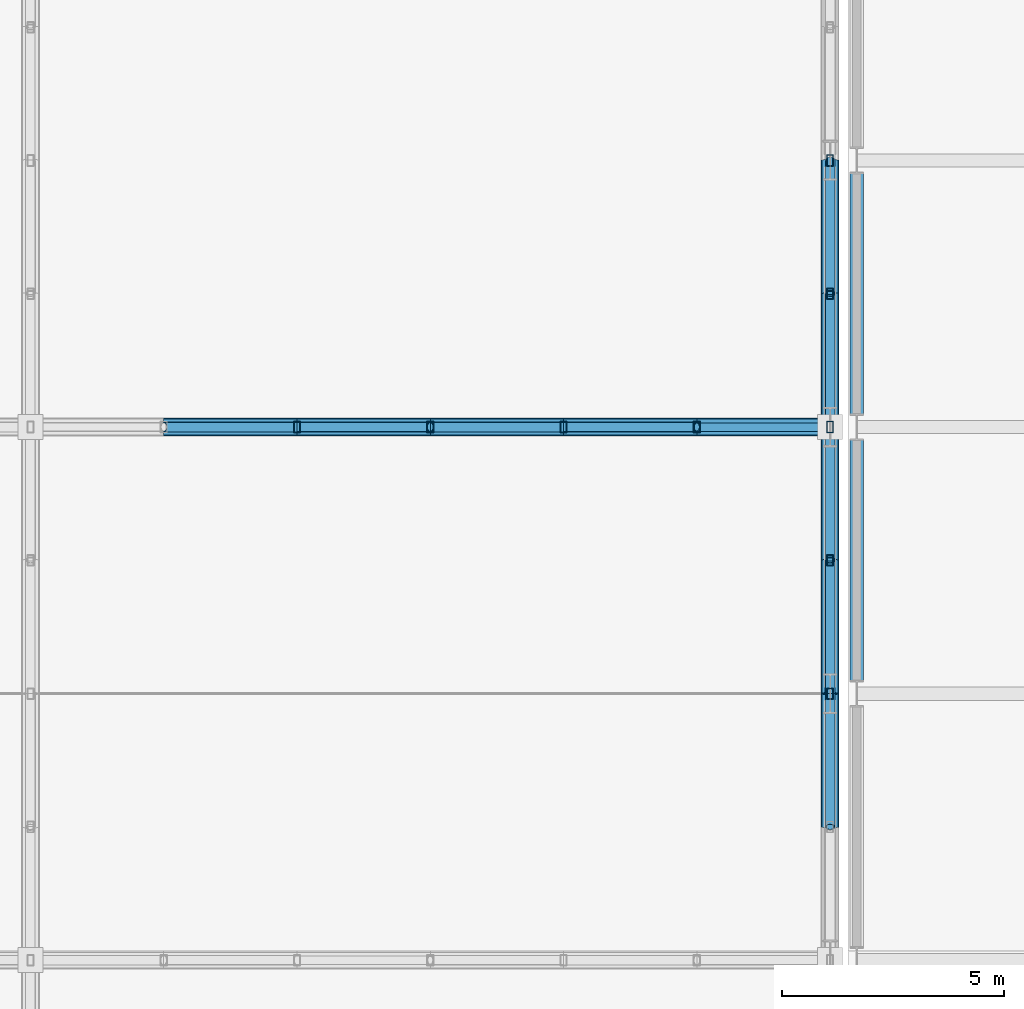
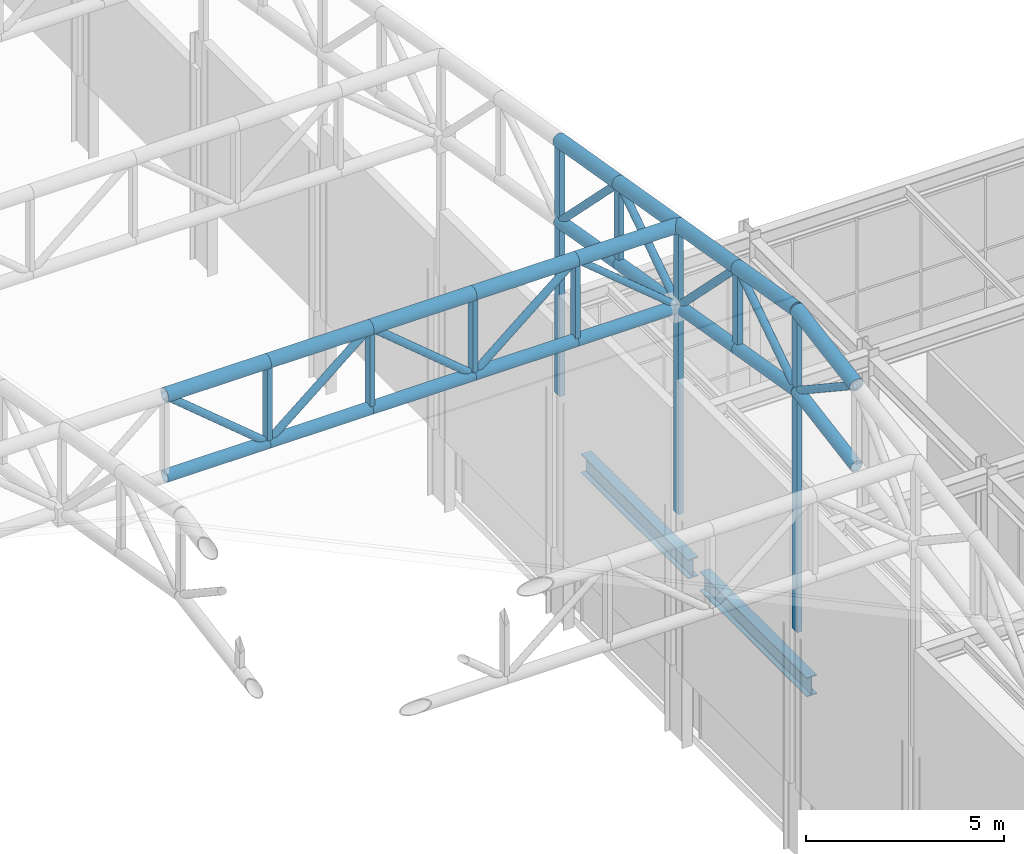
# One storey, part 119 of 239: 39 members, 2 beams.
"""IFC4 building model written with IfcOpenShell, lengths in metres."""

import ifcopenshell
import ifcopenshell.guid

model = None  # the IFC model being written
_history = None  # IfcOwnerHistory: only IFC2X3 demands one
_inside = {}  # id of a spatial element -> (the spatial element, [elements in it])
_under = {}  # id of a project, library or spatial element -> (it, [spatial elements below it])
_declared = {}  # id of a project -> (the project, [libraries it declares])
_typed = {}  # id of a type object -> (the type object, [elements of that type])
_made_of = {}  # id of a material, layer set ... -> (it, [elements and type objects made of it])


def new_model(schema):
    """Start an empty IFC model of exactly this schema.

    Asked for "IFC4X3", IfcOpenShell would pick the latest addendum, in which some entities
    have other attributes; the version numbers below select the first issue.
    IFC2X3 requires an IfcOwnerHistory on every rooted entity: one is made here for all.
    """
    global model, _history
    if schema == "IFC4X3":
        model = ifcopenshell.file(schema_version=(4, 3, 0, 0))
    else:
        model = ifcopenshell.file(schema=schema)
    _inside.clear()
    _under.clear()
    _declared.clear()
    _typed.clear()
    _made_of.clear()
    _history = None
    if model.schema == "IFC2X3":
        org = make("IfcOrganization", Name="unknown")
        user = make(
            "IfcPersonAndOrganization",
            ThePerson=make("IfcPerson", FamilyName="unknown"),
            TheOrganization=org,
        )
        app = make(
            "IfcApplication",
            ApplicationDeveloper=org,
            Version="unknown",
            ApplicationFullName="unknown",
            ApplicationIdentifier="unknown",
        )
        _history = make(
            "IfcOwnerHistory",
            OwningUser=user,
            OwningApplication=app,
            ChangeAction="ADDED",
            CreationDate=0,
        )
    return model


def make(cls, **values):
    """One entity of the class cls with the attributes given. An attribute that is None is left unset."""
    return model.create_entity(
        cls, **{name: value for name, value in values.items() if value is not None}
    )


def rooted(cls, **values):
    """An entity with a GlobalId (a new one), such as an element, a storey or a relation."""
    return make(cls, GlobalId=ifcopenshell.guid.new(), OwnerHistory=_history, **values)


def si_unit(unit_type, name, prefix=None):
    """IfcSIUnit, for example si_unit("LENGTHUNIT", "METRE", prefix="MILLI")."""
    return make("IfcSIUnit", UnitType=unit_type, Prefix=prefix, Name=name)


def assignment(units):
    """IfcUnitAssignment: the units of a project."""
    return None if units is None else make("IfcUnitAssignment", Units=units)


def point(xyz):
    """IfcCartesianPoint."""
    return None if xyz is None else make("IfcCartesianPoint", Coordinates=xyz)


def direction(xyz):
    """IfcDirection."""
    return None if xyz is None else make("IfcDirection", DirectionRatios=xyz)


def frame(location, z_axis=None, x_axis=None):
    """IfcAxis2Placement3D, a coordinate frame: its origin and axes. An axis left out is left unset."""
    return make(
        "IfcAxis2Placement3D",
        Location=point(location),
        Axis=direction(z_axis),
        RefDirection=direction(x_axis),
    )


def frame_2d(location, x_axis=None):
    """IfcAxis2Placement2D, a coordinate frame in the plane: its origin and x axis."""
    return make(
        "IfcAxis2Placement2D", Location=point(location), RefDirection=direction(x_axis)
    )


def origin():
    """The frame at (0, 0, 0) with its axes left unset."""
    return frame((0.0, 0.0, 0.0))


def origin_2d():
    """The frame at (0, 0) in the plane with its x axis left unset."""
    return frame_2d((0.0, 0.0))


def place(relative_to, where):
    """IfcLocalPlacement: puts the frame where relative to a parent placement (None: the world)."""
    return make(
        "IfcLocalPlacement", PlacementRelTo=relative_to, RelativePlacement=where
    )


def context(
    kind, dimensions, precision=None, world=None, true_north=None, identifier=None
):
    """IfcGeometricRepresentationContext, for example the 3D "Model" context."""
    return make(
        "IfcGeometricRepresentationContext",
        ContextIdentifier=identifier,
        ContextType=kind,
        CoordinateSpaceDimension=dimensions,
        Precision=precision,
        WorldCoordinateSystem=world,
        TrueNorth=true_north,
    )


def subcontext(parent, identifier, kind, view, scale=None):
    """IfcGeometricRepresentationSubContext, for example "Body" below "Model"."""
    return make(
        "IfcGeometricRepresentationSubContext",
        ContextIdentifier=identifier,
        ContextType=kind,
        ParentContext=parent,
        TargetScale=scale,
        TargetView=view,
    )


def project(units=None, contexts=None):
    """IfcProject with its units and contexts."""
    return rooted(
        "IfcProject",
        Name="project",
        RepresentationContexts=contexts,
        UnitsInContext=assignment(units),
    )


def spatial(cls, under=None, at=None, **own):
    """A site, building, storey or space (cls), placed at a placement, below another one or the project."""
    s = rooted(cls, ObjectPlacement=at, **own)
    if under is not None:
        _under.setdefault(under.id(), (under, []))[1].append(s)
    return s


def profile(cls, at=None, kind="AREA", **sizes):
    """A parametric profile (cls). Its sizes go by their IFC names, for example OverallWidth=200.0."""
    return make(cls, ProfileType=kind, Position=at, **sizes)


def hollow_rectangle(**sizes):
    """IfcRectangleHollowProfileDef."""
    return profile("IfcRectangleHollowProfileDef", **sizes)


def hollow_circle(**sizes):
    """IfcCircleHollowProfileDef."""
    return profile("IfcCircleHollowProfileDef", **sizes)


def i_section(**sizes):
    """IfcIShapeProfileDef."""
    return profile("IfcIShapeProfileDef", **sizes)


def extrude(swept, where, along, depth):
    """IfcExtrudedAreaSolid: the profile swept, set in the frame where, extruded along a direction by depth."""
    return make(
        "IfcExtrudedAreaSolid",
        SweptArea=swept,
        Position=where,
        ExtrudedDirection=direction(along),
        Depth=depth,
    )


def shape(context_of_items, identifier, shape_type, items):
    """IfcShapeRepresentation: the items that make up one representation, for example the "Body"."""
    return make(
        "IfcShapeRepresentation",
        ContextOfItems=context_of_items,
        RepresentationIdentifier=identifier,
        RepresentationType=shape_type,
        Items=items,
    )


def material(Name=None, Category=None):
    """IfcMaterial."""
    return make("IfcMaterial", Name=Name, Category=Category)


def material_profile(
    of_material, cross_section, Name=None, Category=None, Priority=None
):
    """IfcMaterialProfile: a cross section and its material."""
    return make(
        "IfcMaterialProfile",
        Name=Name,
        Material=of_material,
        Profile=cross_section,
        Priority=Priority,
        Category=Category,
    )


def profile_set(profiles, Name=None, composite=None):
    """IfcMaterialProfileSet."""
    return make(
        "IfcMaterialProfileSet",
        Name=Name,
        MaterialProfiles=profiles,
        CompositeProfile=composite,
    )


def made_of(thing, what):
    """Note that an element or type object is made of a material, layer set ...; save() writes the relation."""
    if what is not None:
        _made_of.setdefault(what.id(), (what, []))[1].append(thing)
    return thing


def type_object(cls, material=None, **own):
    """A type object (cls), such as IfcWallType, which elements share."""
    return made_of(rooted(cls, **own), material)


def element(
    cls,
    number,
    at=None,
    inside=None,
    cuts=None,
    type_object=None,
    material=None,
    context=None,
    identifier="Body",
    shape_type=None,
    held_by="IfcProductDefinitionShape",
    body=None,
    shapes=None,
    **own,
):
    """One element of the class cls, such as IfcWall. Its Tag is "e" and its number.

    at: its placement. inside: the storey or other place that contains it. cuts: it is an
    opening in that element (IfcRelVoidsElement). A single representation is given by context,
    identifier, shape_type and body (its items); several are given by shapes. held_by: the class
    of the entity that holds the representations. save() writes the other relations.
    """
    e = rooted(cls, Tag="e%d" % number, ObjectPlacement=at, **own)
    if body is not None:
        shapes = [shape(context, identifier, shape_type, body)]
    if shapes is not None:
        e.Representation = make(held_by, Representations=shapes)
    if inside is not None:
        _inside.setdefault(inside.id(), (inside, []))[1].append(e)
    if cuts is not None:
        rooted(
            "IfcRelVoidsElement", RelatingBuildingElement=cuts, RelatedOpeningElement=e
        )
    if type_object is not None:
        _typed.setdefault(type_object.id(), (type_object, []))[1].append(e)
    return made_of(e, material)


def aggregate(whole, parts):
    """IfcRelAggregates: a whole, such as a stair, and the parts it consists of."""
    return rooted("IfcRelAggregates", RelatingObject=whole, RelatedObjects=parts)


def save(model, path):
    """Write the relations noted so far, then the file.

    IfcRelAggregates (storeys below a building ...), IfcRelContainedInSpatialStructure (elements
    in a storey), IfcRelDefinesByType, IfcRelAssociatesMaterial and IfcRelDeclares: one each for
    every whole, place, type object, material and project.
    """
    for whole, parts in _under.values():
        aggregate(whole, parts)
    for where, things in _inside.values():
        rooted(
            "IfcRelContainedInSpatialStructure",
            RelatedElements=things,
            RelatingStructure=where,
        )
    for kind, things in _typed.values():
        rooted("IfcRelDefinesByType", RelatedObjects=things, RelatingType=kind)
    for what, things in _made_of.values():
        rooted("IfcRelAssociatesMaterial", RelatedObjects=things, RelatingMaterial=what)
    for by, libraries in _declared.values():
        rooted("IfcRelDeclares", RelatingContext=by, RelatedDefinitions=libraries)
    model.write(path)


model = new_model("IFC4")

# Units and contexts
model_context = context("Model", 3, precision=1e-05, world=origin(), true_north=direction((0.0, 1.0)))
body_context = subcontext(model_context, "Body", "Model", "MODEL_VIEW")
ifc_project = project(units=[si_unit("LENGTHUNIT", "METRE"), si_unit("AREAUNIT", "SQUARE_METRE"), si_unit("VOLUMEUNIT", "CUBIC_METRE"), si_unit("PLANEANGLEUNIT", "RADIAN"), si_unit("MASSUNIT", "GRAM", prefix="KILO")], contexts=[model_context])

# Site, building, storey
site_placement = place(None, origin())
site = spatial("IfcSite", under=ifc_project, at=site_placement, CompositionType="ELEMENT")
building_placement = place(site_placement, origin())
building = spatial("IfcBuilding", under=site, at=building_placement, Name="Kaldris Quays Convention Centre", CompositionType="ELEMENT")
storey_placement = place(building_placement, frame((0.0, 0.0, 11.39990234375)))
storey = spatial("IfcBuildingStorey", under=building, at=storey_placement, Name="L02", CompositionType="ELEMENT", Elevation=11.39990234375)

# Beams
ifc_material_1 = material(Name="Steel S355J2", Category="steel")
ifc_material_profile_1 = material_profile(ifc_material_1, i_section(OverallWidth=0.300048828125, OverallDepth=0.590087890625, WebThickness=0.012939453125, FlangeThickness=0.02490234375, FilletRadius=0.027099609375, at=origin_2d()), Name="HEA 600")
ifc_profile_set_1 = profile_set([ifc_material_profile_1], Name="Steel S355J2")
beam_type = type_object("IfcBeamType", Name="STRUCTURAL BEAM BM08", PredefinedType="BEAM", material=ifc_profile_set_1)
for number, where, z_axis, x_axis, name in (
    (1, (146.60009765625, 98.2939453125, 4.8681640625), (0.0, 1.0, 0.0), (-1.0, 0.0, 0.0), "L02 Girder BM08 75"),
    (2, (146.60009765625, 104.2939453125, 4.8681640625), (0.0, 1.0, 0.0), (-1.0, 0.0, 0.0), "L02 Girder BM08 76"),
):
    element("IfcBeam", number, at=place(storey_placement, frame(where, z_axis=z_axis, x_axis=x_axis)), inside=storey, type_object=beam_type, Name=name, PredefinedType="BEAM", context=body_context, shape_type="SweptSolid", body=[
        extrude(i_section(OverallWidth=0.300048828125, OverallDepth=0.590087890625, WebThickness=0.012939453125, FlangeThickness=0.02490234375, FilletRadius=0.027099609375, at=origin_2d()), origin(), (0.0, 0.0, 1.0), 5.412109375),
    ])

# Members
ifc_material_2 = material(Name="Steel S355J2H", Category="steel")
ifc_material_profile_2 = material_profile(ifc_material_2, hollow_circle(Radius=0.203125, WallThickness=0.01611328125, at=origin_2d()), Name="CHS 406.4x16")
ifc_profile_set_2 = profile_set([ifc_material_profile_2], Name="Steel S355J2H")
member_type_1 = type_object("IfcMemberType", Name="STRUCTURAL MEMBER SC01", PredefinedType="CHORD", material=ifc_profile_set_2)
for number, where, z_axis, x_axis, name in (
    (3, (131.0, 104.0, 15.84326171875), (1.0, 0.0, 0.0), (0.0, 1.0, 0.0), "SF-V1 Top Chord X 206"),
    (4, (134.0, 104.0, 15.84326171875), (1.0, 0.0, 0.0), (0.0, 1.0, 0.0), "SF-V1 Top Chord X 207"),
    (5, (137.0, 104.0, 15.84326171875), (1.0, 0.0, 0.0), (0.0, 1.0, 0.0), "SF-V1 Top Chord X 208"),
    (6, (140.0, 104.0, 15.84326171875), (1.0, 0.0, 0.0), (0.0, 1.0, 0.0), "SF-V1 Top Chord X 209"),
    (7, (143.0, 104.0, 15.84326171875), (1.0, 0.0, 0.0), (0.0, 1.0, 0.0), "SF-V1 Top Chord X 210"),
):
    element("IfcMember", number, at=place(storey_placement, frame(where, z_axis=z_axis, x_axis=x_axis)), inside=storey, type_object=member_type_1, Name=name, PredefinedType="CHORD", context=body_context, shape_type="SweptSolid", body=[
        extrude(hollow_circle(Radius=0.203125, WallThickness=0.01611328125, at=origin_2d()), origin(), (0.0, 0.0, 1.0), 3.0),
    ])
for number, where, z_axis, x_axis, name in (
    (8, (146.0, 95.0, 16.357666015625), (0.0, 0.98562912375, 0.168923741424), (-1.0, 0.0, 0.0), "SF-V1 Top Chord Y 546"),
    (9, (146.0, 98.0, 16.871826171875), (0.0, 0.98562912375, -0.168923741424), (-1.0, 0.0, 0.0), "SF-V1 Top Chord Y 547"),
    (10, (146.0, 101.0, 16.357666015625), (0.0, 0.985615766076, -0.169001661712), (-1.0, 0.0, 0.0), "SF-V1 Top Chord Y 548"),
    (11, (146.0, 104.0, 15.84326171875), (0.0, 0.98562912375, -0.168923741424), (-1.0, 0.0, 0.0), "SF-V1 Top Chord Y 549"),
    (12, (146.0, 107.0, 15.3291015625), (0.0, 0.985615766076, -0.169001661712), (-1.0, 0.0, 0.0), "SF-V1 Top Chord Y 550"),
):
    element("IfcMember", number, at=place(storey_placement, frame(where, z_axis=z_axis, x_axis=x_axis)), inside=storey, type_object=member_type_1, Name=name, PredefinedType="CHORD", context=body_context, shape_type="SweptSolid", body=[
        extrude(hollow_circle(Radius=0.203125, WallThickness=0.01611328125, at=origin_2d()), origin(), (0.0, 0.0, 1.0), 3.043701171875),
    ])
ifc_material_profile_3 = material_profile(ifc_material_2, hollow_circle(Radius=0.177734375, WallThickness=0.01611328125, at=origin_2d()), Name="CHS 355.6x16")
ifc_profile_set_3 = profile_set([ifc_material_profile_3], Name="Steel S355J2H")
member_type_2 = type_object("IfcMemberType", Name="STRUCTURAL MEMBER SC02", PredefinedType="CHORD", material=ifc_profile_set_3)
for number, where, z_axis, x_axis, name in (
    (13, (131.0, 104.0, 13.34326171875), (1.0, 0.0, 0.0), (0.0, 1.0, 0.0), "SF-V1 Bottom Chord X 206"),
    (14, (134.0, 104.0, 13.34326171875), (1.0, 0.0, 0.0), (0.0, 1.0, 0.0), "SF-V1 Bottom Chord X 207"),
    (15, (137.0, 104.0, 13.34326171875), (1.0, 0.0, 0.0), (0.0, 1.0, 0.0), "SF-V1 Bottom Chord X 208"),
    (16, (140.0, 104.0, 13.34326171875), (1.0, 0.0, 0.0), (0.0, 1.0, 0.0), "SF-V1 Bottom Chord X 209"),
    (17, (143.0, 104.0, 13.34326171875), (1.0, 0.0, 0.0), (0.0, 1.0, 0.0), "SF-V1 Bottom Chord X 210"),
):
    element("IfcMember", number, at=place(storey_placement, frame(where, z_axis=z_axis, x_axis=x_axis)), inside=storey, type_object=member_type_2, Name=name, PredefinedType="CHORD", context=body_context, shape_type="SweptSolid", body=[
        extrude(hollow_circle(Radius=0.177734375, WallThickness=0.01611328125, at=origin_2d()), origin(), (0.0, 0.0, 1.0), 3.0),
    ])
for number, where, z_axis, x_axis, name in (
    (18, (146.0, 95.0, 13.857666015625), (0.0, 0.98562912375, 0.168923741424), (-1.0, 0.0, 0.0), "SF-V1 Bottom Chord Y 546"),
    (19, (146.0, 98.0, 14.371826171875), (0.0, 0.98562912375, -0.168923741424), (-1.0, 0.0, 0.0), "SF-V1 Bottom Chord Y 547"),
    (20, (146.0, 101.0, 13.857666015625), (0.0, 0.985615766076, -0.169001661712), (-1.0, 0.0, 0.0), "SF-V1 Bottom Chord Y 548"),
    (21, (146.0, 104.0, 13.34326171875), (0.0, 0.98562912375, -0.168923741424), (-1.0, 0.0, 0.0), "SF-V1 Bottom Chord Y 549"),
    (22, (146.0, 107.0, 12.8291015625), (0.0, 0.985615766076, -0.169001661712), (-1.0, 0.0, 0.0), "SF-V1 Bottom Chord Y 550"),
):
    element("IfcMember", number, at=place(storey_placement, frame(where, z_axis=z_axis, x_axis=x_axis)), inside=storey, type_object=member_type_2, Name=name, PredefinedType="CHORD", context=body_context, shape_type="SweptSolid", body=[
        extrude(hollow_circle(Radius=0.177734375, WallThickness=0.01611328125, at=origin_2d()), origin(), (0.0, 0.0, 1.0), 3.043701171875),
    ])
ifc_material_profile_4 = material_profile(ifc_material_2, hollow_circle(Radius=0.109619140625, WallThickness=0.010009765625, at=origin_2d()), Name="CHS 219.1x10")
ifc_profile_set_4 = profile_set([ifc_material_profile_4], Name="Steel S355J2H")
member_type_3 = type_object("IfcMemberType", Name="STRUCTURAL MEMBER SWB1", PredefinedType="BRACE", material=ifc_profile_set_4)
for number, where, z_axis, x_axis, name in (
    (23, (134.0, 104.0, 13.34326171875), (-0.768221279597, 0.0, 0.640184399664), (0.0, -1.0, 0.0), "SF-V1 Web Diagonal X 206"),
    (24, (134.0, 104.0, 13.34326171875), (0.768221279597, 0.0, 0.640184399664), (0.0, 1.0, 0.0), "SF-V1 Web Diagonal X 207"),
    (25, (140.0, 104.0, 13.34326171875), (-0.768221279597, 0.0, 0.640184399664), (0.0, -1.0, 0.0), "SF-V1 Web Diagonal X 208"),
    (26, (140.0, 104.0, 13.34326171875), (0.768221279597, 0.0, 0.640184399664), (0.0, 1.0, 0.0), "SF-V1 Web Diagonal X 209"),
):
    element("IfcMember", number, at=place(storey_placement, frame(where, z_axis=z_axis, x_axis=x_axis)), inside=storey, type_object=member_type_3, Name=name, PredefinedType="BRACE", context=body_context, shape_type="SweptSolid", body=[
        extrude(hollow_circle(Radius=0.109619140625, WallThickness=0.010009765625, at=origin_2d()), origin(), (0.0, 0.0, 1.0), 3.905029296875),
    ])
for number, where, z_axis, x_axis, name in (
    (27, (146.0, 98.0, 14.371826171875), (0.0, -0.833862389808, 0.551972385962), (1.0, 0.0, 0.0), "SF-V1 Web Diagonal Y 546"),
    (28, (146.0, 98.0, 14.371826171875), (0.0, 0.833862389808, 0.551972385962), (-1.0, 0.0, 0.0), "SF-V1 Web Diagonal Y 547"),
):
    element("IfcMember", number, at=place(storey_placement, frame(where, z_axis=z_axis, x_axis=x_axis)), inside=storey, type_object=member_type_3, Name=name, PredefinedType="BRACE", context=body_context, shape_type="SweptSolid", body=[
        extrude(hollow_circle(Radius=0.109619140625, WallThickness=0.010009765625, at=origin_2d()), origin(), (0.0, 0.0, 1.0), 3.59765625),
    ])
member_1_placement = place(storey_placement, frame((146.0, 104.0, 13.34326171875), z_axis=(0.0, -0.705411261057, 0.708798245465), x_axis=(1.0, 0.0, 0.0)))
element("IfcMember", 29, at=member_1_placement, inside=storey, type_object=member_type_3, Name="SF-V1 Web Diagonal Y 548", PredefinedType="BRACE", context=body_context, shape_type="SweptSolid", body=[
    extrude(hollow_circle(Radius=0.109619140625, WallThickness=0.010009765625, at=origin_2d()), origin(), (0.0, 0.0, 1.0), 4.2529296875),
])
member_2_placement = place(storey_placement, frame((146.0, 104.0, 13.34326171875), z_axis=(0.0, 0.833862389808, 0.551972385962), x_axis=(-1.0, 0.0, 0.0)))
element("IfcMember", 30, at=member_2_placement, inside=storey, type_object=member_type_3, Name="SF-V1 Web Diagonal Y 549", PredefinedType="BRACE", context=body_context, shape_type="SweptSolid", body=[
    extrude(hollow_circle(Radius=0.109619140625, WallThickness=0.010009765625, at=origin_2d()), origin(), (0.0, 0.0, 1.0), 3.59765625),
])
member_3_placement = place(storey_placement, frame((146.0, 110.0, 12.314697265625), z_axis=(0.0, -0.705411261057, 0.708798245465), x_axis=(1.0, 0.0, 0.0)))
element("IfcMember", 31, at=member_3_placement, inside=storey, type_object=member_type_3, Name="SF-V1 Web Diagonal Y 550", PredefinedType="BRACE", context=body_context, shape_type="SweptSolid", body=[
    extrude(hollow_circle(Radius=0.109619140625, WallThickness=0.010009765625, at=origin_2d()), origin(), (0.0, 0.0, 1.0), 4.2529296875),
])
ifc_material_profile_5 = material_profile(ifc_material_2, hollow_circle(Radius=0.096923828125, WallThickness=0.008056640625, at=origin_2d()), Name="CHS 193.7x8")
ifc_profile_set_5 = profile_set([ifc_material_profile_5], Name="Steel S355J2H")
member_type_4 = type_object("IfcMemberType", Name="STRUCTURAL MEMBER SWB3", PredefinedType="BRACE", material=ifc_profile_set_5)
member_4_placement = place(storey_placement, frame((146.0, 104.0, 13.34326171875), z_axis=(-0.768221279597, 0.0, 0.640184399664), x_axis=(0.0, -1.0, 0.0)))
element("IfcMember", 32, at=member_4_placement, inside=storey, type_object=member_type_4, Name="SF-V1 Web Diagonal X 210", PredefinedType="BRACE", context=body_context, shape_type="SweptSolid", body=[
    extrude(hollow_circle(Radius=0.096923828125, WallThickness=0.008056640625, at=origin_2d()), origin(), (0.0, 0.0, 1.0), 3.905029296875),
])
ifc_material_profile_6 = material_profile(ifc_material_2, hollow_rectangle(XDim=0.14990234375, YDim=0.25, WallThickness=0.010009765625, at=origin_2d()), Name="RHS 250x150x10")
ifc_profile_set_6 = profile_set([ifc_material_profile_6], Name="Steel S355J2H")
member_type_5 = type_object("IfcMemberType", Name="STRUCTURAL MEMBER TTV1", PredefinedType="POST", material=ifc_profile_set_6)
for number, where, z_axis, x_axis, name in (
    (33, (134.0, 104.0, 13.34326171875), (0.0, 0.0, 1.0), (1.0, 0.0, 0.0), "SF-V1 Space-Frame Post 456"),
    (34, (137.0, 104.0, 13.34326171875), (0.0, 0.0, 1.0), (1.0, 0.0, 0.0), "SF-V1 Space-Frame Post 464"),
    (35, (140.0, 104.0, 13.34326171875), (0.0, 0.0, 1.0), (1.0, 0.0, 0.0), "SF-V1 Space-Frame Post 472"),
    (36, (143.0, 104.0, 13.34326171875), (0.0, 0.0, 1.0), (1.0, 0.0, 0.0), "SF-V1 Space-Frame Post 480"),
):
    element("IfcMember", number, at=place(storey_placement, frame(where, z_axis=z_axis, x_axis=x_axis)), inside=storey, type_object=member_type_5, Name=name, PredefinedType="POST", context=body_context, shape_type="SweptSolid", body=[
        extrude(hollow_rectangle(XDim=0.14990234375, YDim=0.25, WallThickness=0.010009765625, at=origin_2d()), origin(), (0.0, 0.0, 1.0), 2.5),
    ])
member_5_placement = place(storey_placement, frame((146.0, 98.0, 6.994140625), z_axis=(0.0, 0.0, 1.0), x_axis=(1.0, 0.0, 0.0)))
element("IfcMember", 37, at=member_5_placement, inside=storey, type_object=member_type_5, Name="SF-V1 Space-Frame Post 498", PredefinedType="POST", context=body_context, shape_type="SweptSolid", body=[
    extrude(hollow_rectangle(XDim=0.14990234375, YDim=0.25, WallThickness=0.010009765625, at=origin_2d()), origin(), (0.0, 0.0, 1.0), 9.877685546875),
])
member_6_placement = place(storey_placement, frame((146.0, 101.0, 13.857666015625), z_axis=(0.0, 0.0, 1.0), x_axis=(1.0, 0.0, 0.0)))
element("IfcMember", 38, at=member_6_placement, inside=storey, type_object=member_type_5, Name="SF-V1 Space-Frame Post 499", PredefinedType="POST", context=body_context, shape_type="SweptSolid", body=[
    extrude(hollow_rectangle(XDim=0.14990234375, YDim=0.25, WallThickness=0.010009765625, at=origin_2d()), origin(), (0.0, 0.0, 1.0), 2.5),
])
member_7_placement = place(storey_placement, frame((146.0, 104.0, 6.994140625), z_axis=(0.0, 0.0, 1.0), x_axis=(1.0, 0.0, 0.0)))
element("IfcMember", 39, at=member_7_placement, inside=storey, type_object=member_type_5, Name="SF-V1 Space-Frame Post 500", PredefinedType="POST", context=body_context, shape_type="SweptSolid", body=[
    extrude(hollow_rectangle(XDim=0.14990234375, YDim=0.25, WallThickness=0.010009765625, at=origin_2d()), origin(), (0.0, 0.0, 1.0), 8.84912109375),
])
member_8_placement = place(storey_placement, frame((146.0, 107.0, 12.8291015625), z_axis=(0.0, 0.0, 1.0), x_axis=(1.0, 0.0, 0.0)))
element("IfcMember", 40, at=member_8_placement, inside=storey, type_object=member_type_5, Name="SF-V1 Space-Frame Post 501", PredefinedType="POST", context=body_context, shape_type="SweptSolid", body=[
    extrude(hollow_rectangle(XDim=0.14990234375, YDim=0.25, WallThickness=0.010009765625, at=origin_2d()), origin(), (0.0, 0.0, 1.0), 2.5),
])
member_9_placement = place(storey_placement, frame((146.0, 110.0, 6.994140625), z_axis=(0.0, 0.0, 1.0), x_axis=(1.0, 0.0, 0.0)))
element("IfcMember", 41, at=member_9_placement, inside=storey, type_object=member_type_5, Name="SF-V1 Space-Frame Post 502", PredefinedType="POST", context=body_context, shape_type="SweptSolid", body=[
    extrude(hollow_rectangle(XDim=0.14990234375, YDim=0.25, WallThickness=0.010009765625, at=origin_2d()), origin(), (0.0, 0.0, 1.0), 7.820556640625),
])

save(model, "model.ifc")
